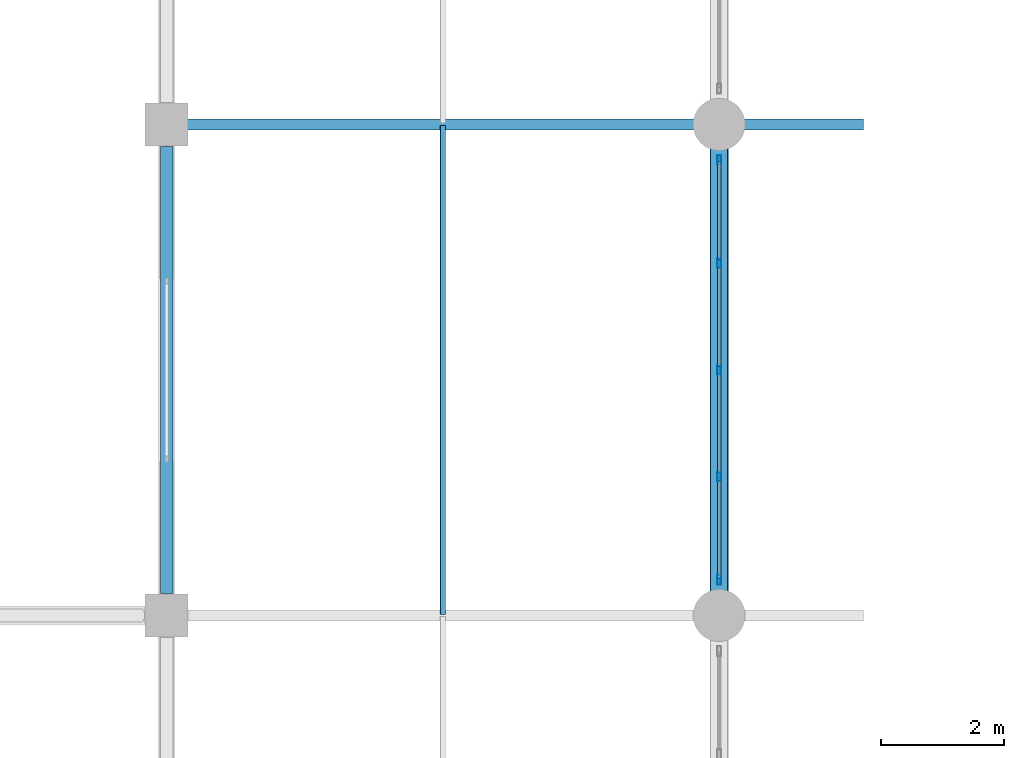
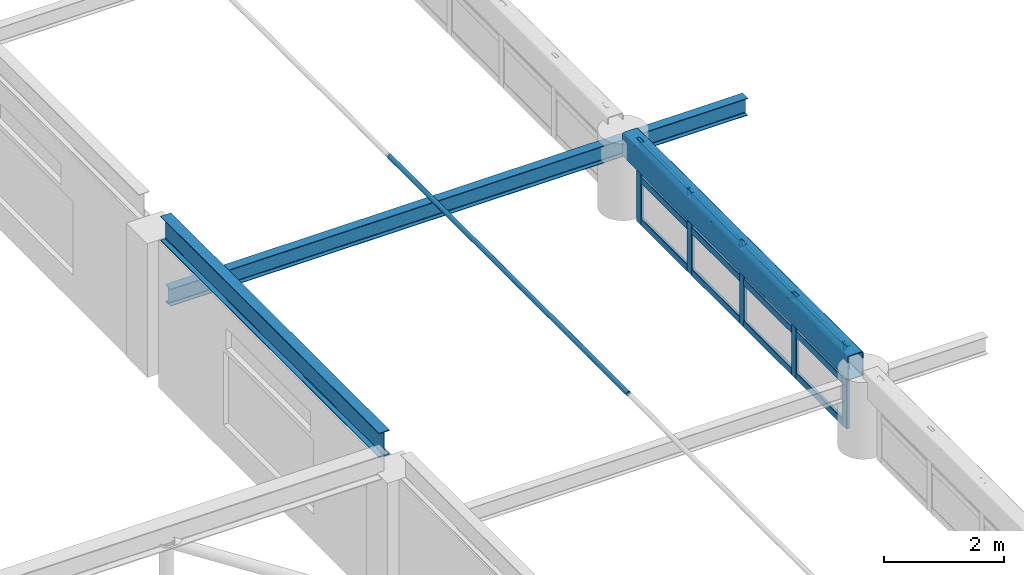
# One storey, part 38 of 128: 18 members, 3 beams, 1 element without a shape of its own.
"""IFC4 building model written with IfcOpenShell, lengths in metres."""

from ifc_helpers import new_model, si_unit, derived_unit, direction, frame, origin, origin_2d, place, context, subcontext, project, spatial, hollow_rectangle, hollow_circle, i_section, extrude, material, material_profile, profile_set, type_object, element, aggregate, save


model = new_model("IFC4")

# Units and contexts
model_context = context("Model", 3, precision=1e-05, world=origin(), true_north=direction((0.0, 1.0)))
body_context = subcontext(model_context, "Body", "Model", "MODEL_VIEW")
ifc_project = project(units=[si_unit("LENGTHUNIT", "METRE"), si_unit("AREAUNIT", "SQUARE_METRE"), si_unit("VOLUMEUNIT", "CUBIC_METRE"), si_unit("PLANEANGLEUNIT", "RADIAN"), si_unit("MASSUNIT", "GRAM", prefix="KILO"), derived_unit("THERMALTRANSMITTANCEUNIT", [(si_unit("MASSUNIT", "GRAM", prefix="KILO"), 1), (si_unit("TIMEUNIT", "SECOND"), -3), (si_unit("THERMODYNAMICTEMPERATUREUNIT", "KELVIN"), -1)])], contexts=[model_context])

# Site, building, storey
site_placement = place(None, origin())
site = spatial("IfcSite", under=ifc_project, at=site_placement, CompositionType="ELEMENT")
building_placement = place(site_placement, origin())
building = spatial("IfcBuilding", under=site, at=building_placement, Name="Zhenchuan Archway Interchange", CompositionType="ELEMENT")
storey_placement = place(building_placement, frame((0.0, 0.0, 14.39990234375)))
storey = spatial("IfcBuildingStorey", under=building, at=storey_placement, Name="L03", CompositionType="ELEMENT", Elevation=14.39990234375)

# Beams
ifc_material_1 = material(Name="Steel Q390", Category="steel")
ifc_material_profile_1 = material_profile(ifc_material_1, hollow_rectangle(XDim=0.300048828125, YDim=0.5, WallThickness=0.01611328125, InnerFilletRadius=0.01611328125, OuterFilletRadius=0.031982421875, at=origin_2d()), Name="RHS 500x300x16")
ifc_profile_set_1 = profile_set([ifc_material_profile_1], Name="Steel Q390")
beam_type_1 = type_object("IfcBeamType", Name="BM_RING_RHS500", PredefinedType="BEAM", material=ifc_profile_set_1)
beam_1_placement = place(storey_placement, frame((72.0, 48.25, 1.4501953125), z_axis=(0.0, 1.0, 0.0), x_axis=(-1.0, 0.0, 0.0)))
element("IfcBeam", 1, at=beam_1_placement, inside=storey, type_object=beam_type_1, Name="CONCOURSE CABLE-NET RING BEAM E-4", PredefinedType="BEAM", context=body_context, shape_type="SweptSolid", body=[
    extrude(hollow_rectangle(XDim=0.300048828125, YDim=0.5, WallThickness=0.01611328125, InnerFilletRadius=0.01611328125, OuterFilletRadius=0.031982421875, at=origin_2d()), origin(), (0.0, 0.0, 1.0), 7.5),
])
ifc_material_2 = material(Name="Steel Q355", Category="steel")
ifc_material_profile_2 = material_profile(ifc_material_2, i_section(OverallWidth=0.175048828125, OverallDepth=0.35009765625, WebThickness=0.007080078125, FlangeThickness=0.010986328125, FilletRadius=0.013916015625, at=origin_2d()), Name="HN 350x175")
ifc_profile_set_2 = profile_set([ifc_material_profile_2], Name="Steel Q355")
beam_type_2 = type_object("IfcBeamType", Name="BM_STL_EAVE_HN350", PredefinedType="BEAM", material=ifc_profile_set_2)
beam_2_placement = place(storey_placement, frame((63.25, 56.0, 1.25), z_axis=(1.0, 0.0, 0.0), x_axis=(0.0, 1.0, 0.0)))
element("IfcBeam", 2, at=beam_2_placement, inside=storey, type_object=beam_type_2, Name="Concourse east storm-eave continuous rafter 5", PredefinedType="BEAM", context=body_context, shape_type="SweptSolid", body=[
    extrude(i_section(OverallWidth=0.175048828125, OverallDepth=0.35009765625, WebThickness=0.007080078125, FlangeThickness=0.010986328125, FilletRadius=0.013916015625, at=origin_2d()), origin(), (0.0, 0.0, 1.0), 11.10009765625),
])
ifc_material_profile_3 = material_profile(ifc_material_2, i_section(OverallWidth=0.199951171875, OverallDepth=0.5, WebThickness=0.010009765625, FlangeThickness=0.01611328125, FilletRadius=0.02001953125, at=origin_2d()), Name="HN 500x200")
ifc_profile_set_3 = profile_set([ifc_material_profile_3], Name="Steel Q355")
beam_type_3 = type_object("IfcBeamType", Name="BM_STL_HN500", PredefinedType="BEAM", material=ifc_profile_set_3)
beam_3_placement = place(storey_placement, frame((63.0, 48.360107421875, 2.9501953125), z_axis=(0.0, 1.0, 0.0), x_axis=(-1.0, 0.0, 0.0)))
element("IfcBeam", 3, at=beam_3_placement, inside=storey, type_object=beam_type_3, Name="Concourse clerestory header beam E 48-56", PredefinedType="BEAM", context=body_context, shape_type="SweptSolid", body=[
    extrude(i_section(OverallWidth=0.199951171875, OverallDepth=0.5, WebThickness=0.010009765625, FlangeThickness=0.01611328125, FilletRadius=0.02001953125, at=origin_2d()), origin(), (0.0, 0.0, 1.0), 7.27978515625),
])

# Curtain wall, members
ifc_material_3 = material(Name="Anodised Aluminium", Category="aluminium")
curtain_wall_type = type_object("IfcCurtainWallType", Name="CW_UNIT_3", PredefinedType="NOTDEFINED", material=ifc_material_3)
curtain_wall_placement = place(storey_placement, origin())
curtain_wall = element("IfcCurtainWall", 4, at=curtain_wall_placement, inside=storey, type_object=curtain_wall_type, Name="Unitised curtain wall CW:L03:RING-E4", PredefinedType="NOTDEFINED")
ifc_material_profile_4 = material_profile(ifc_material_3, hollow_rectangle(XDim=0.06005859375, YDim=0.159912109375, WallThickness=0.00390625, InnerFilletRadius=0.00390625, OuterFilletRadius=0.008056640625, at=origin_2d()), Name="ALU 160x60x4")
ifc_profile_set_4 = profile_set([ifc_material_profile_4], Name="Anodised Aluminium")
member_type_1 = type_object("IfcMemberType", Name="CW_MUL_150", PredefinedType="MULLION", material=ifc_profile_set_4)
member_1_placement = place(storey_placement, frame((72.0, 48.580078125, 0.02001953125), z_axis=(0.0, 0.0, 1.0), x_axis=(1.0, 0.0, 0.0)))
member_1 = element("IfcMember", 5, at=member_1_placement, type_object=member_type_1, Name="CW:L03:RING-E4 mullion 0", PredefinedType="MULLION", context=body_context, shape_type="SweptSolid", body=[
    extrude(hollow_rectangle(XDim=0.06005859375, YDim=0.159912109375, WallThickness=0.00390625, InnerFilletRadius=0.00390625, OuterFilletRadius=0.008056640625, at=origin_2d()), origin(), (0.0, 0.0, 1.0), 1.68017578125),
])
member_2_placement = place(storey_placement, frame((72.0, 50.260009765625, 0.02001953125), z_axis=(0.0, 0.0, 1.0), x_axis=(1.0, 0.0, 0.0)))
member_2 = element("IfcMember", 6, at=member_2_placement, type_object=member_type_1, Name="CW:L03:RING-E4 mullion 1", PredefinedType="MULLION", context=body_context, shape_type="SweptSolid", body=[
    extrude(hollow_rectangle(XDim=0.06005859375, YDim=0.159912109375, WallThickness=0.00390625, InnerFilletRadius=0.00390625, OuterFilletRadius=0.008056640625, at=origin_2d()), origin(), (0.0, 0.0, 1.0), 1.68017578125),
])
member_3_placement = place(storey_placement, frame((72.0, 52.0, 0.02001953125), z_axis=(0.0, 0.0, 1.0), x_axis=(1.0, 0.0, 0.0)))
member_3 = element("IfcMember", 7, at=member_3_placement, type_object=member_type_1, Name="CW:L03:RING-E4 mullion 2", PredefinedType="MULLION", context=body_context, shape_type="SweptSolid", body=[
    extrude(hollow_rectangle(XDim=0.06005859375, YDim=0.159912109375, WallThickness=0.00390625, InnerFilletRadius=0.00390625, OuterFilletRadius=0.008056640625, at=origin_2d()), origin(), (0.0, 0.0, 1.0), 1.68017578125),
])
member_4_placement = place(storey_placement, frame((72.0, 53.739990234375, 0.02001953125), z_axis=(0.0, 0.0, 1.0), x_axis=(1.0, 0.0, 0.0)))
member_4 = element("IfcMember", 8, at=member_4_placement, type_object=member_type_1, Name="CW:L03:RING-E4 mullion 3", PredefinedType="MULLION", context=body_context, shape_type="SweptSolid", body=[
    extrude(hollow_rectangle(XDim=0.06005859375, YDim=0.159912109375, WallThickness=0.00390625, InnerFilletRadius=0.00390625, OuterFilletRadius=0.008056640625, at=origin_2d()), origin(), (0.0, 0.0, 1.0), 1.68017578125),
])
member_5_placement = place(storey_placement, frame((72.0, 55.419921875, 0.02001953125), z_axis=(0.0, 0.0, 1.0), x_axis=(1.0, 0.0, 0.0)))
member_5 = element("IfcMember", 9, at=member_5_placement, type_object=member_type_1, Name="CW:L03:RING-E4 mullion 4", PredefinedType="MULLION", context=body_context, shape_type="SweptSolid", body=[
    extrude(hollow_rectangle(XDim=0.06005859375, YDim=0.159912109375, WallThickness=0.00390625, InnerFilletRadius=0.00390625, OuterFilletRadius=0.008056640625, at=origin_2d()), origin(), (0.0, 0.0, 1.0), 1.68017578125),
])
ifc_material_profile_5 = material_profile(ifc_material_3, hollow_rectangle(XDim=0.06005859375, YDim=0.139892578125, WallThickness=0.00341796875, InnerFilletRadius=0.00341796875, OuterFilletRadius=0.007080078125, at=origin_2d()), Name="ALU 140x60x3.5")
ifc_profile_set_5 = profile_set([ifc_material_profile_5], Name="Anodised Aluminium")
member_type_2 = type_object("IfcMemberType", Name="CW_TRN_140", PredefinedType="USERDEFINED", material=ifc_profile_set_5)
member_6_placement = place(storey_placement, frame((72.0, 48.60009765625, 0.080078125), z_axis=(0.0, 1.0, 0.0), x_axis=(-1.0, 0.0, 0.0)))
member_6 = element("IfcMember", 10, at=member_6_placement, type_object=member_type_2, Name="CW:L03:RING-E4 transom 0-1", ObjectType="TRANSOM", PredefinedType="USERDEFINED", context=body_context, shape_type="SweptSolid", body=[
    extrude(hollow_rectangle(XDim=0.06005859375, YDim=0.139892578125, WallThickness=0.00341796875, InnerFilletRadius=0.00341796875, OuterFilletRadius=0.007080078125, at=origin_2d()), origin(), (0.0, 0.0, 1.0), 1.599853515625),
])
member_7_placement = place(storey_placement, frame((72.0, 48.60009765625, 0.93310546875), z_axis=(0.0, 1.0, 0.0), x_axis=(-1.0, 0.0, 0.0)))
member_7 = element("IfcMember", 11, at=member_7_placement, type_object=member_type_2, Name="CW:L03:RING-E4 transom 0-2", ObjectType="TRANSOM", PredefinedType="USERDEFINED", context=body_context, shape_type="SweptSolid", body=[
    extrude(hollow_rectangle(XDim=0.06005859375, YDim=0.139892578125, WallThickness=0.00341796875, InnerFilletRadius=0.00341796875, OuterFilletRadius=0.007080078125, at=origin_2d()), origin(), (0.0, 0.0, 1.0), 1.599853515625),
])
member_8_placement = place(storey_placement, frame((72.0, 48.60009765625, 1.6201171875), z_axis=(0.0, 1.0, 0.0), x_axis=(-1.0, 0.0, 0.0)))
member_8 = element("IfcMember", 12, at=member_8_placement, type_object=member_type_2, Name="CW:L03:RING-E4 transom 0-3", ObjectType="TRANSOM", PredefinedType="USERDEFINED", context=body_context, shape_type="SweptSolid", body=[
    extrude(hollow_rectangle(XDim=0.06005859375, YDim=0.139892578125, WallThickness=0.00341796875, InnerFilletRadius=0.00341796875, OuterFilletRadius=0.007080078125, at=origin_2d()), origin(), (0.0, 0.0, 1.0), 1.599853515625),
])
member_9_placement = place(storey_placement, frame((72.0, 50.320068359375, 0.080078125), z_axis=(0.0, 1.0, 0.0), x_axis=(-1.0, 0.0, 0.0)))
member_9 = element("IfcMember", 13, at=member_9_placement, type_object=member_type_2, Name="CW:L03:RING-E4 transom 1-1", ObjectType="TRANSOM", PredefinedType="USERDEFINED", context=body_context, shape_type="SweptSolid", body=[
    extrude(hollow_rectangle(XDim=0.06005859375, YDim=0.139892578125, WallThickness=0.00341796875, InnerFilletRadius=0.00341796875, OuterFilletRadius=0.007080078125, at=origin_2d()), origin(), (0.0, 0.0, 1.0), 1.619873046875),
])
member_10_placement = place(storey_placement, frame((72.0, 50.320068359375, 0.93310546875), z_axis=(0.0, 1.0, 0.0), x_axis=(-1.0, 0.0, 0.0)))
member_10 = element("IfcMember", 14, at=member_10_placement, type_object=member_type_2, Name="CW:L03:RING-E4 transom 1-2", ObjectType="TRANSOM", PredefinedType="USERDEFINED", context=body_context, shape_type="SweptSolid", body=[
    extrude(hollow_rectangle(XDim=0.06005859375, YDim=0.139892578125, WallThickness=0.00341796875, InnerFilletRadius=0.00341796875, OuterFilletRadius=0.007080078125, at=origin_2d()), origin(), (0.0, 0.0, 1.0), 1.619873046875),
])
member_11_placement = place(storey_placement, frame((72.0, 50.320068359375, 1.6201171875), z_axis=(0.0, 1.0, 0.0), x_axis=(-1.0, 0.0, 0.0)))
member_11 = element("IfcMember", 15, at=member_11_placement, type_object=member_type_2, Name="CW:L03:RING-E4 transom 1-3", ObjectType="TRANSOM", PredefinedType="USERDEFINED", context=body_context, shape_type="SweptSolid", body=[
    extrude(hollow_rectangle(XDim=0.06005859375, YDim=0.139892578125, WallThickness=0.00341796875, InnerFilletRadius=0.00341796875, OuterFilletRadius=0.007080078125, at=origin_2d()), origin(), (0.0, 0.0, 1.0), 1.619873046875),
])
member_12_placement = place(storey_placement, frame((72.0, 52.06005859375, 0.080078125), z_axis=(0.0, 1.0, 0.0), x_axis=(-1.0, 0.0, 0.0)))
member_12 = element("IfcMember", 16, at=member_12_placement, type_object=member_type_2, Name="CW:L03:RING-E4 transom 2-1", ObjectType="TRANSOM", PredefinedType="USERDEFINED", context=body_context, shape_type="SweptSolid", body=[
    extrude(hollow_rectangle(XDim=0.06005859375, YDim=0.139892578125, WallThickness=0.00341796875, InnerFilletRadius=0.00341796875, OuterFilletRadius=0.007080078125, at=origin_2d()), origin(), (0.0, 0.0, 1.0), 1.619873046875),
])
member_13_placement = place(storey_placement, frame((72.0, 52.06005859375, 0.93310546875), z_axis=(0.0, 1.0, 0.0), x_axis=(-1.0, 0.0, 0.0)))
member_13 = element("IfcMember", 17, at=member_13_placement, type_object=member_type_2, Name="CW:L03:RING-E4 transom 2-2", ObjectType="TRANSOM", PredefinedType="USERDEFINED", context=body_context, shape_type="SweptSolid", body=[
    extrude(hollow_rectangle(XDim=0.06005859375, YDim=0.139892578125, WallThickness=0.00341796875, InnerFilletRadius=0.00341796875, OuterFilletRadius=0.007080078125, at=origin_2d()), origin(), (0.0, 0.0, 1.0), 1.619873046875),
])
member_14_placement = place(storey_placement, frame((72.0, 52.06005859375, 1.6201171875), z_axis=(0.0, 1.0, 0.0), x_axis=(-1.0, 0.0, 0.0)))
member_14 = element("IfcMember", 18, at=member_14_placement, type_object=member_type_2, Name="CW:L03:RING-E4 transom 2-3", ObjectType="TRANSOM", PredefinedType="USERDEFINED", context=body_context, shape_type="SweptSolid", body=[
    extrude(hollow_rectangle(XDim=0.06005859375, YDim=0.139892578125, WallThickness=0.00341796875, InnerFilletRadius=0.00341796875, OuterFilletRadius=0.007080078125, at=origin_2d()), origin(), (0.0, 0.0, 1.0), 1.619873046875),
])
member_15_placement = place(storey_placement, frame((72.0, 53.800048828125, 0.080078125), z_axis=(0.0, 1.0, 0.0), x_axis=(-1.0, 0.0, 0.0)))
member_15 = element("IfcMember", 19, at=member_15_placement, type_object=member_type_2, Name="CW:L03:RING-E4 transom 3-1", ObjectType="TRANSOM", PredefinedType="USERDEFINED", context=body_context, shape_type="SweptSolid", body=[
    extrude(hollow_rectangle(XDim=0.06005859375, YDim=0.139892578125, WallThickness=0.00341796875, InnerFilletRadius=0.00341796875, OuterFilletRadius=0.007080078125, at=origin_2d()), origin(), (0.0, 0.0, 1.0), 1.599853515625),
])
member_16_placement = place(storey_placement, frame((72.0, 53.800048828125, 0.93310546875), z_axis=(0.0, 1.0, 0.0), x_axis=(-1.0, 0.0, 0.0)))
member_16 = element("IfcMember", 20, at=member_16_placement, type_object=member_type_2, Name="CW:L03:RING-E4 transom 3-2", ObjectType="TRANSOM", PredefinedType="USERDEFINED", context=body_context, shape_type="SweptSolid", body=[
    extrude(hollow_rectangle(XDim=0.06005859375, YDim=0.139892578125, WallThickness=0.00341796875, InnerFilletRadius=0.00341796875, OuterFilletRadius=0.007080078125, at=origin_2d()), origin(), (0.0, 0.0, 1.0), 1.599853515625),
])
member_17_placement = place(storey_placement, frame((72.0, 53.800048828125, 1.6201171875), z_axis=(0.0, 1.0, 0.0), x_axis=(-1.0, 0.0, 0.0)))
member_17 = element("IfcMember", 21, at=member_17_placement, type_object=member_type_2, Name="CW:L03:RING-E4 transom 3-3", ObjectType="TRANSOM", PredefinedType="USERDEFINED", context=body_context, shape_type="SweptSolid", body=[
    extrude(hollow_rectangle(XDim=0.06005859375, YDim=0.139892578125, WallThickness=0.00341796875, InnerFilletRadius=0.00341796875, OuterFilletRadius=0.007080078125, at=origin_2d()), origin(), (0.0, 0.0, 1.0), 1.599853515625),
])
aggregate(curtain_wall, [member_1, member_2, member_3, member_4, member_5, member_6, member_7, member_8, member_9, member_10, member_11, member_12, member_13, member_14, member_15, member_16, member_17])

# Member
ifc_material_profile_6 = material_profile(ifc_material_1, hollow_circle(Radius=0.04443359375, WallThickness=0.006103515625, at=origin_2d()), Name="CHS 89x6")
ifc_profile_set_6 = profile_set([ifc_material_profile_6], Name="Steel Q390")
member_type_3 = type_object("IfcMemberType", Name="MB_CBL_CHS89", PredefinedType="USERDEFINED", material=ifc_profile_set_6)
member_18_placement = place(storey_placement, frame((67.5, 48.02001953125, 2.60009765625), z_axis=(0.0, 1.0, 0.0), x_axis=(-1.0, 0.0, 0.0)))
element("IfcMember", 22, at=member_18_placement, inside=storey, type_object=member_type_3, Name="CONCOURSE ROOF CABLE longitudinal net strand 3-6", ObjectType="CABLE", PredefinedType="USERDEFINED", context=body_context, shape_type="SweptSolid", body=[
    extrude(hollow_circle(Radius=0.04443359375, WallThickness=0.006103515625, at=origin_2d()), origin(), (0.0, 0.0, 1.0), 7.9599609375),
])

save(model, "model.ifc")
